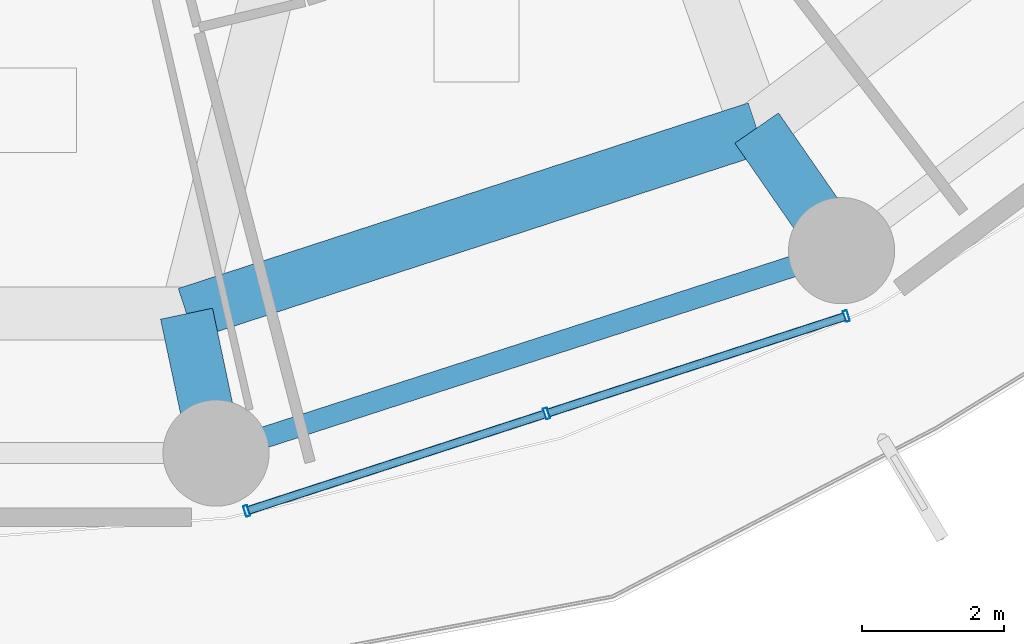
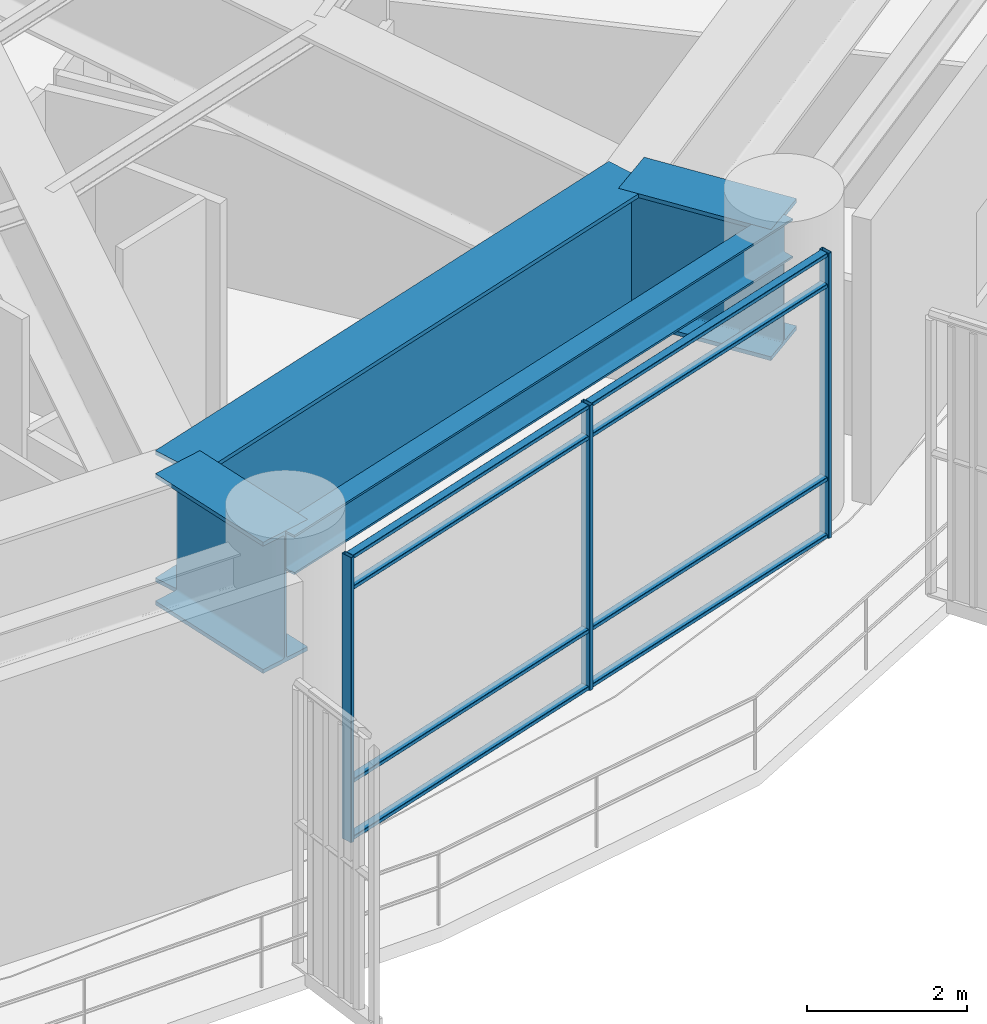
# One storey, part 8 of 31: 11 members, 4 beams, 1 element without a shape of its own.
"""IFC4 building model written with IfcOpenShell, lengths in metres."""

from ifc_helpers import new_model, si_unit, direction, frame, origin, origin_2d, place, context, subcontext, project, spatial, hollow_rectangle, i_section, extrude, material, layer, layer_set, material_profile, profile_set, type_object, element, aggregate, save


model = new_model("IFC4")

# Units and contexts
model_context = context("Model", 3, precision=1e-05, world=origin(), true_north=direction((0.0, 1.0)))
body_context = subcontext(model_context, "Body", "Model", "MODEL_VIEW")
ifc_project = project(units=[si_unit("LENGTHUNIT", "METRE"), si_unit("AREAUNIT", "SQUARE_METRE"), si_unit("VOLUMEUNIT", "CUBIC_METRE"), si_unit("PLANEANGLEUNIT", "RADIAN"), si_unit("MASSUNIT", "GRAM", prefix="KILO")], contexts=[model_context])

# Site, building, storey
site_placement = place(None, origin())
site = spatial("IfcSite", under=ifc_project, at=site_placement, CompositionType="ELEMENT")
building_placement = place(site_placement, origin())
building = spatial("IfcBuilding", under=site, at=building_placement, Name="Kelanora Arch Commons", CompositionType="ELEMENT")
storey_placement = place(building_placement, frame((0.0, 0.0, 67.5)))
storey = spatial("IfcBuildingStorey", under=building, at=storey_placement, Name="L17", CompositionType="ELEMENT", Elevation=67.5)

# Beams
ifc_material_1 = material(Name="Steel S355", Category="steel")
ifc_material_profile_1 = material_profile(ifc_material_1, i_section(OverallWidth=0.300048828125, OverallDepth=0.60009765625, WebThickness=0.015380859375, FlangeThickness=0.030029296875, FilletRadius=0.027099609375, at=origin_2d()), Name="HEB600")
ifc_profile_set_1 = profile_set([ifc_material_profile_1], Name="Steel S355")
beam_type_1 = type_object("IfcBeamType", Name="BM-SPN-Z1", PredefinedType="SPANDREL", material=ifc_profile_set_1)
beam_1_placement = place(storey_placement, frame((78.702392578125, 34.285888671875, 4.06005859375), z_axis=(0.951417120402, 0.307904957748, 0.0), x_axis=(-0.307904957748, 0.951417120402, 0.0)))
element("IfcBeam", 1, at=beam_1_placement, inside=storey, type_object=beam_type_1, Name="Perimeter Spandrel Beam BS-28 L17", PredefinedType="SPANDREL", context=body_context, shape_type="SweptSolid", body=[
    extrude(i_section(OverallWidth=0.300048828125, OverallDepth=0.60009765625, WebThickness=0.015380859375, FlangeThickness=0.030029296875, FilletRadius=0.027099609375, at=origin_2d()), origin(), (0.0, 0.0, 1.0), 9.288818359375),
])
ifc_material_profile_2 = material_profile(ifc_material_1, i_section(OverallWidth=0.75, OverallDepth=2.0, WebThickness=0.034912109375, FlangeThickness=0.06005859375, FilletRadius=0.028076171875, at=origin_2d()), Name="PG2000x750")
ifc_profile_set_2 = profile_set([ifc_material_profile_2], Name="Steel S355")
beam_type_2 = type_object("IfcBeamType", Name="BM-XFER-SET", PredefinedType="USERDEFINED", material=ifc_profile_set_2)
beam_2_placement = place(storey_placement, frame((78.28564453125, 36.25537109375, 3.360107421875), z_axis=(0.207018863964, -0.978336951139, 0.0), x_axis=(0.978336951139, 0.207018863964, 0.0)))
element("IfcBeam", 2, at=beam_2_placement, inside=storey, type_object=beam_type_2, Name="Radial Floor Girder BR-28 L17", ObjectType="TRANSFER_GIRDER", PredefinedType="USERDEFINED", context=body_context, shape_type="SweptSolid", body=[
    extrude(i_section(OverallWidth=0.75, OverallDepth=2.0, WebThickness=0.034912109375, FlangeThickness=0.06005859375, FilletRadius=0.028076171875, at=origin_2d()), origin(), (0.0, 0.0, 1.0), 2.01318359375),
])
beam_3_placement = place(storey_placement, frame((86.340087890625, 38.878173828125, 3.360107421875), z_axis=(0.569450942775, -0.822025318207, 0.0), x_axis=(0.822025318207, 0.569450942775, 0.0)))
element("IfcBeam", 3, at=beam_3_placement, inside=storey, type_object=beam_type_2, Name="Radial Floor Girder BR-30 L17", ObjectType="TRANSFER_GIRDER", PredefinedType="USERDEFINED", context=body_context, shape_type="SweptSolid", body=[
    extrude(i_section(OverallWidth=0.75, OverallDepth=2.0, WebThickness=0.034912109375, FlangeThickness=0.06005859375, FilletRadius=0.028076171875, at=origin_2d()), origin(), (0.0, 0.0, 1.0), 2.107177734375),
])
beam_4_placement = place(storey_placement, frame((78.28564453125, 36.25537109375, 3.360107421875), z_axis=(0.950856631974, 0.309631499418, 0.0), x_axis=(-0.309631499418, 0.950856631974, 0.0)))
element("IfcBeam", 4, at=beam_4_placement, inside=storey, type_object=beam_type_2, Name="Setback Inner Transfer Ring BSI-28 L17", ObjectType="TRANSFER_GIRDER", PredefinedType="USERDEFINED", context=body_context, shape_type="SweptSolid", body=[
    extrude(i_section(OverallWidth=0.75, OverallDepth=2.0, WebThickness=0.034912109375, FlangeThickness=0.06005859375, FilletRadius=0.028076171875, at=origin_2d()), origin(), (0.0, 0.0, 1.0), 8.470703125),
])

# Curtain wall, members
ifc_material_2 = material(Name="Terracotta ceramic-fritted low-E glass and aluminium", Category="masonry")
ifc_layer = layer(ifc_material_2, 0.159912109375)
ifc_layer_set = layer_set([ifc_layer], Name="Terracotta ceramic-fritted low-E glass and aluminium")
curtain_wall_type = type_object("IfcCurtainWallType", Name="CW-SYS-01", PredefinedType="NOTDEFINED", material=ifc_layer_set)
curtain_wall_placement = place(storey_placement, origin())
curtain_wall = element("IfcCurtainWall", 5, at=curtain_wall_placement, inside=storey, type_object=curtain_wall_type, Name="Unitised Curtain Wall L17-B14", PredefinedType="NOTDEFINED")
ifc_material_3 = material(Name="Powder-coated aluminium terracotta", Category="masonry")
ifc_material_profile_3 = material_profile(ifc_material_3, hollow_rectangle(XDim=0.159912109375, YDim=0.06005859375, WallThickness=0.0048828125, InnerFilletRadius=0.0048828125, OuterFilletRadius=0.010009765625, at=origin_2d()), Name="CWM160x60")
ifc_profile_set_3 = profile_set([ifc_material_profile_3], Name="Powder-coated aluminium terracotta")
member_type_1 = type_object("IfcMemberType", Name="CWM-STD", PredefinedType="MULLION", material=ifc_profile_set_3)
member_1_placement = place(storey_placement, frame((79.134521484375, 33.46826171875, 0.0), z_axis=(0.0, 0.0, 1.0), x_axis=(-0.30905758454, 0.951043326793, 0.0)))
member_1 = element("IfcMember", 6, at=member_1_placement, type_object=member_type_1, Name="CW-01 mullion 1", PredefinedType="MULLION", context=body_context, shape_type="SweptSolid", body=[
    extrude(hollow_rectangle(XDim=0.159912109375, YDim=0.06005859375, WallThickness=0.0048828125, InnerFilletRadius=0.0048828125, OuterFilletRadius=0.010009765625, at=origin_2d()), origin(), (0.0, 0.0, 1.0), 4.344970703125),
])
member_2_placement = place(storey_placement, frame((83.37109375, 34.84521484375, 0.0), z_axis=(0.0, 0.0, 1.0), x_axis=(-0.30905758454, 0.951043326793, 0.0)))
member_2 = element("IfcMember", 7, at=member_2_placement, type_object=member_type_1, Name="CW-01 mullion 2", PredefinedType="MULLION", context=body_context, shape_type="SweptSolid", body=[
    extrude(hollow_rectangle(XDim=0.159912109375, YDim=0.06005859375, WallThickness=0.0048828125, InnerFilletRadius=0.0048828125, OuterFilletRadius=0.010009765625, at=origin_2d()), origin(), (0.0, 0.0, 1.0), 4.344970703125),
])
member_3_placement = place(storey_placement, frame((87.607666015625, 36.221923828125, 0.0), z_axis=(0.0, 0.0, 1.0), x_axis=(-0.30905758454, 0.951043326793, 0.0)))
member_3 = element("IfcMember", 8, at=member_3_placement, type_object=member_type_1, Name="CW-01 mullion 3", PredefinedType="MULLION", context=body_context, shape_type="SweptSolid", body=[
    extrude(hollow_rectangle(XDim=0.159912109375, YDim=0.06005859375, WallThickness=0.0048828125, InnerFilletRadius=0.0048828125, OuterFilletRadius=0.010009765625, at=origin_2d()), origin(), (0.0, 0.0, 1.0), 4.344970703125),
])
ifc_material_profile_4 = material_profile(ifc_material_3, hollow_rectangle(XDim=0.1201171875, YDim=0.06005859375, WallThickness=0.0048828125, InnerFilletRadius=0.0048828125, OuterFilletRadius=0.010009765625, at=origin_2d()), Name="CWT120x60")
ifc_profile_set_4 = profile_set([ifc_material_profile_4], Name="Powder-coated aluminium terracotta")
member_type_2 = type_object("IfcMemberType", Name="CWT-STD", PredefinedType="USERDEFINED", material=ifc_profile_set_4)
member_4_placement = place(storey_placement, frame((79.1630859375, 33.4775390625, 0.030029296875), z_axis=(0.951028761285, 0.309102402464, 0.0), x_axis=(-0.309102402464, 0.951028761285, 0.0)))
member_4 = element("IfcMember", 9, at=member_4_placement, type_object=member_type_2, Name="CW-01 transom 1.1", ObjectType="TRANSOM", PredefinedType="USERDEFINED", context=body_context, shape_type="SweptSolid", body=[
    extrude(hollow_rectangle(XDim=0.1201171875, YDim=0.06005859375, WallThickness=0.0048828125, InnerFilletRadius=0.0048828125, OuterFilletRadius=0.010009765625, at=origin_2d()), origin(), (0.0, 0.0, 1.0), 4.394775390625),
])
member_5_placement = place(storey_placement, frame((79.1630859375, 33.4775390625, 0.89990234375), z_axis=(0.951028761285, 0.309102402464, 0.0), x_axis=(-0.309102402464, 0.951028761285, 0.0)))
member_5 = element("IfcMember", 10, at=member_5_placement, type_object=member_type_2, Name="CW-01 transom 1.2", ObjectType="TRANSOM", PredefinedType="USERDEFINED", context=body_context, shape_type="SweptSolid", body=[
    extrude(hollow_rectangle(XDim=0.1201171875, YDim=0.06005859375, WallThickness=0.0048828125, InnerFilletRadius=0.0048828125, OuterFilletRadius=0.010009765625, at=origin_2d()), origin(), (0.0, 0.0, 1.0), 4.394775390625),
])
member_6_placement = place(storey_placement, frame((79.1630859375, 33.4775390625, 3.844970703125), z_axis=(0.951028761285, 0.309102402464, 0.0), x_axis=(-0.309102402464, 0.951028761285, 0.0)))
member_6 = element("IfcMember", 11, at=member_6_placement, type_object=member_type_2, Name="CW-01 transom 1.3", ObjectType="TRANSOM", PredefinedType="USERDEFINED", context=body_context, shape_type="SweptSolid", body=[
    extrude(hollow_rectangle(XDim=0.1201171875, YDim=0.06005859375, WallThickness=0.0048828125, InnerFilletRadius=0.0048828125, OuterFilletRadius=0.010009765625, at=origin_2d()), origin(), (0.0, 0.0, 1.0), 4.394775390625),
])
member_7_placement = place(storey_placement, frame((79.1630859375, 33.4775390625, 4.31494140625), z_axis=(0.951028761285, 0.309102402464, 0.0), x_axis=(-0.309102402464, 0.951028761285, 0.0)))
member_7 = element("IfcMember", 12, at=member_7_placement, type_object=member_type_2, Name="CW-01 transom 1.4", ObjectType="TRANSOM", PredefinedType="USERDEFINED", context=body_context, shape_type="SweptSolid", body=[
    extrude(hollow_rectangle(XDim=0.1201171875, YDim=0.06005859375, WallThickness=0.0048828125, InnerFilletRadius=0.0048828125, OuterFilletRadius=0.010009765625, at=origin_2d()), origin(), (0.0, 0.0, 1.0), 4.394775390625),
])
member_8_placement = place(storey_placement, frame((83.399658203125, 34.8544921875, 0.030029296875), z_axis=(0.951045091182, 0.309052155047, 0.0), x_axis=(-0.309052155047, 0.951045091182, 0.0)))
member_8 = element("IfcMember", 13, at=member_8_placement, type_object=member_type_2, Name="CW-01 transom 2.1", ObjectType="TRANSOM", PredefinedType="USERDEFINED", context=body_context, shape_type="SweptSolid", body=[
    extrude(hollow_rectangle(XDim=0.1201171875, YDim=0.06005859375, WallThickness=0.0048828125, InnerFilletRadius=0.0048828125, OuterFilletRadius=0.010009765625, at=origin_2d()), origin(), (0.0, 0.0, 1.0), 4.39453125),
])
member_9_placement = place(storey_placement, frame((83.399658203125, 34.8544921875, 0.89990234375), z_axis=(0.951045091182, 0.309052155047, 0.0), x_axis=(-0.309052155047, 0.951045091182, 0.0)))
member_9 = element("IfcMember", 14, at=member_9_placement, type_object=member_type_2, Name="CW-01 transom 2.2", ObjectType="TRANSOM", PredefinedType="USERDEFINED", context=body_context, shape_type="SweptSolid", body=[
    extrude(hollow_rectangle(XDim=0.1201171875, YDim=0.06005859375, WallThickness=0.0048828125, InnerFilletRadius=0.0048828125, OuterFilletRadius=0.010009765625, at=origin_2d()), origin(), (0.0, 0.0, 1.0), 4.39453125),
])
member_10_placement = place(storey_placement, frame((83.399658203125, 34.8544921875, 3.844970703125), z_axis=(0.951045091182, 0.309052155047, 0.0), x_axis=(-0.309052155047, 0.951045091182, 0.0)))
member_10 = element("IfcMember", 15, at=member_10_placement, type_object=member_type_2, Name="CW-01 transom 2.3", ObjectType="TRANSOM", PredefinedType="USERDEFINED", context=body_context, shape_type="SweptSolid", body=[
    extrude(hollow_rectangle(XDim=0.1201171875, YDim=0.06005859375, WallThickness=0.0048828125, InnerFilletRadius=0.0048828125, OuterFilletRadius=0.010009765625, at=origin_2d()), origin(), (0.0, 0.0, 1.0), 4.39453125),
])
member_11_placement = place(storey_placement, frame((83.399658203125, 34.8544921875, 4.31494140625), z_axis=(0.951045091182, 0.309052155047, 0.0), x_axis=(-0.309052155047, 0.951045091182, 0.0)))
member_11 = element("IfcMember", 16, at=member_11_placement, type_object=member_type_2, Name="CW-01 transom 2.4", ObjectType="TRANSOM", PredefinedType="USERDEFINED", context=body_context, shape_type="SweptSolid", body=[
    extrude(hollow_rectangle(XDim=0.1201171875, YDim=0.06005859375, WallThickness=0.0048828125, InnerFilletRadius=0.0048828125, OuterFilletRadius=0.010009765625, at=origin_2d()), origin(), (0.0, 0.0, 1.0), 4.39453125),
])
aggregate(curtain_wall, [member_1, member_2, member_3, member_4, member_5, member_6, member_7, member_8, member_9, member_10, member_11])

save(model, "model.ifc")
